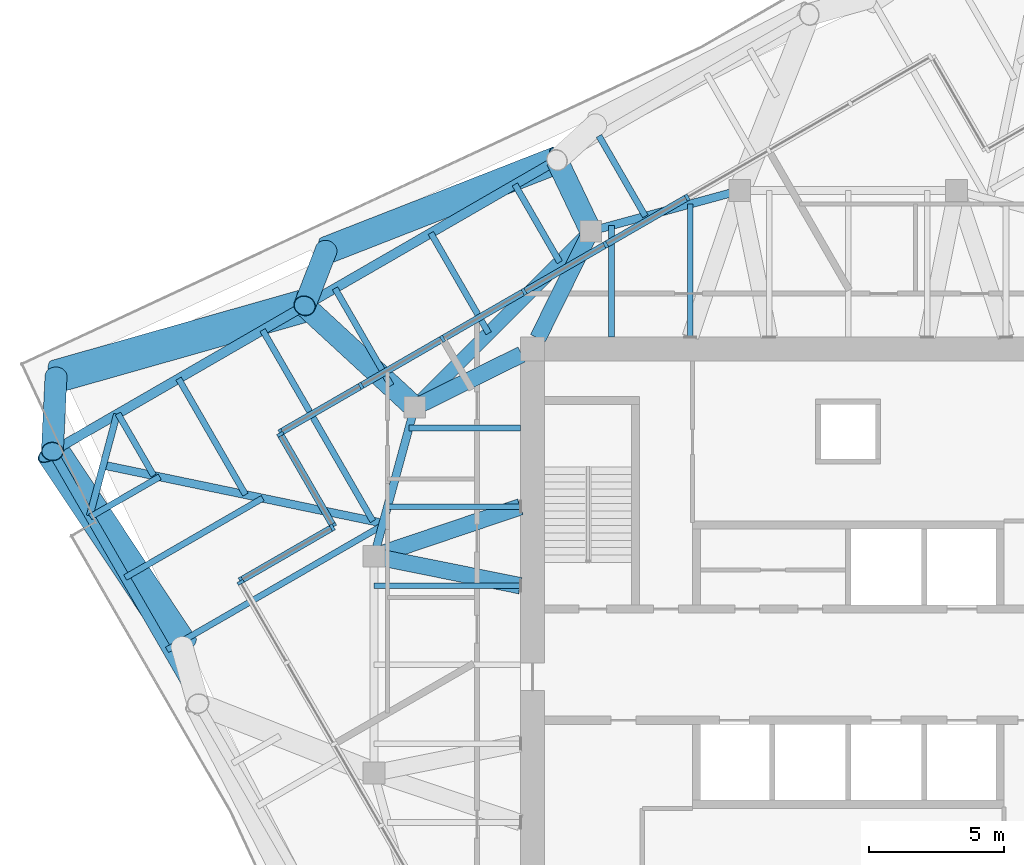
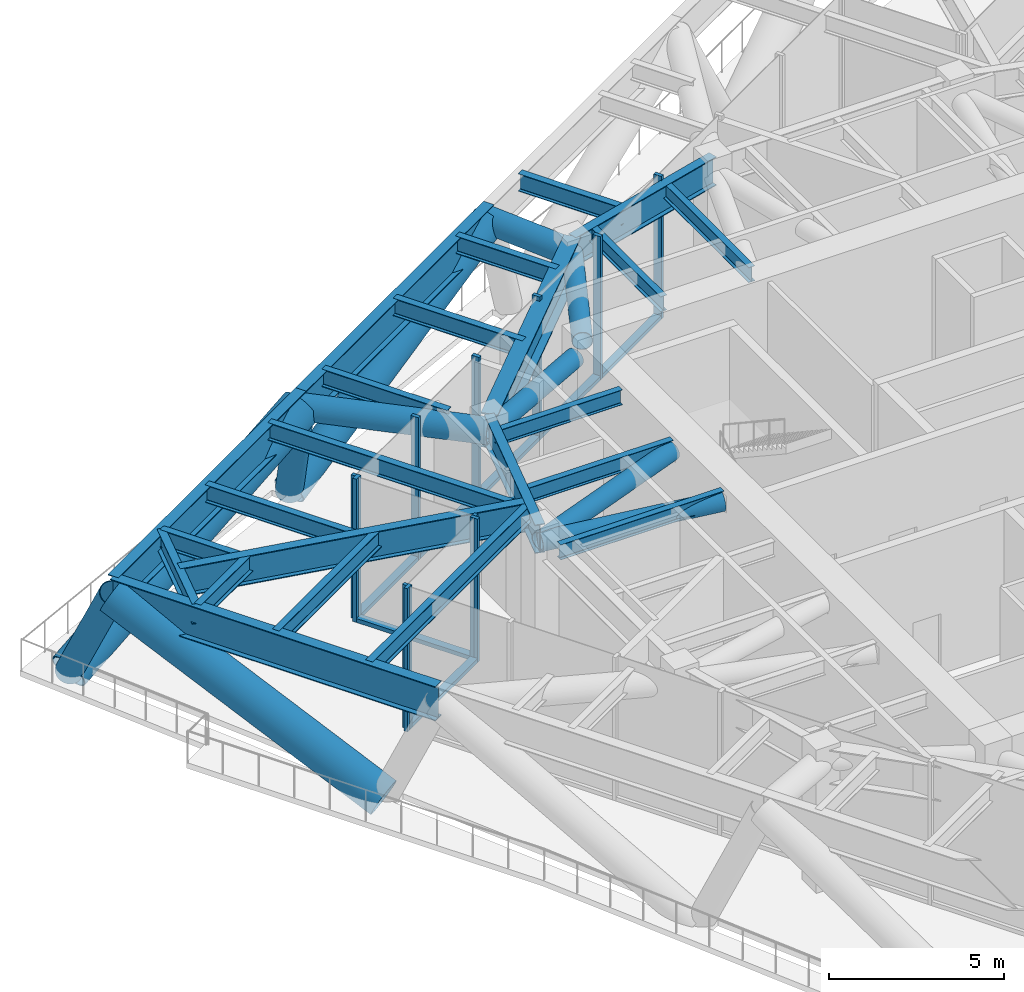
# One storey, part 4 of 12: 29 members, 23 beams, 4 elements without a shape of their own.
"""IFC4 building model written with IfcOpenShell, lengths in metres."""

from ifc_helpers import new_model, si_unit, direction, frame, origin, origin_2d, place, context, subcontext, project, spatial, rectangle, hollow_circle, i_section, extrude, material, material_profile, profile_set, type_object, element, aggregate, save


model = new_model("IFC4")

# Units and contexts
model_context = context("Model", 3, precision=1e-05, world=origin(), true_north=direction((0.0, 1.0)))
body_context = subcontext(model_context, "Body", "Model", "MODEL_VIEW")
ifc_project = project(units=[si_unit("LENGTHUNIT", "METRE"), si_unit("AREAUNIT", "SQUARE_METRE"), si_unit("VOLUMEUNIT", "CUBIC_METRE"), si_unit("PLANEANGLEUNIT", "RADIAN"), si_unit("MASSUNIT", "GRAM", prefix="KILO")], contexts=[model_context])

# Site, building, storey
site_placement = place(None, origin())
site = spatial("IfcSite", under=ifc_project, at=site_placement, CompositionType="ELEMENT")
building_placement = place(site_placement, origin())
building = spatial("IfcBuilding", under=site, at=building_placement, Name="Torsade Residences", CompositionType="ELEMENT")
storey_placement = place(building_placement, frame((0.0, 0.0, 203.199951171875)))
storey = spatial("IfcBuildingStorey", under=building, at=storey_placement, Name="L56", CompositionType="ELEMENT", Elevation=203.199951171875)

# Beams
ifc_material_1 = material(Name="Steel grade 300", Category="steel")
ifc_material_profile_1 = material_profile(ifc_material_1, i_section(OverallWidth=0.300048828125, OverallDepth=1.0, WebThickness=0.01611328125, FlangeThickness=0.028076171875, at=origin_2d()), Name="1000WB215")
ifc_profile_set_1 = profile_set([ifc_material_profile_1], Name="Steel grade 300")
beam_type_1 = type_object("IfcBeamType", Name="CORNER GIRDER 1000WB215", PredefinedType="BEAM", material=ifc_profile_set_1)
beam_1_placement = place(storey_placement, frame((12.5087890625, 37.3662109375, 4.35009765625), z_axis=(0.979086612486, -0.203443862654, 0.0), x_axis=(0.203443862654, 0.979086612486, 0.0)))
element("IfcBeam", 1, at=beam_1_placement, inside=storey, type_object=beam_type_1, Name="Corner girder 13 L57", PredefinedType="BEAM", context=body_context, shape_type="SweptSolid", body=[
    extrude(i_section(OverallWidth=0.300048828125, OverallDepth=1.0, WebThickness=0.01611328125, FlangeThickness=0.028076171875, at=origin_2d()), origin(), (0.0, 0.0, 1.0), 10.544677734375),
])
ifc_material_2 = material(Name="Steel grade 300", Category="steel")
ifc_material_profile_2 = material_profile(ifc_material_2, i_section(OverallWidth=0.25, OverallDepth=0.699951171875, WebThickness=0.010009765625, FlangeThickness=0.02001953125, at=origin_2d()), Name="700WB130")
ifc_profile_set_2 = profile_set([ifc_material_profile_2], Name="Steel grade 300")
beam_type_2 = type_object("IfcBeamType", Name="CORNER TRIMMER 700WB130", PredefinedType="BEAM", material=ifc_profile_set_2)
beam_2_placement = place(storey_placement, frame((12.00537109375, 35.488037109375, 4.5), z_axis=(0.258822897619, 0.965924794002, 0.0), x_axis=(-0.965924794002, 0.258822897619, 0.0)))
element("IfcBeam", 2, at=beam_2_placement, inside=storey, type_object=beam_type_2, Name="Corner trimmer 13 L57", PredefinedType="BEAM", context=body_context, shape_type="SweptSolid", body=[
    extrude(i_section(OverallWidth=0.25, OverallDepth=0.699951171875, WebThickness=0.010009765625, FlangeThickness=0.02001953125, at=origin_2d()), origin(), (0.0, 0.0, 1.0), 3.88916015625),
])

# Curtain wall, members
ifc_material_3 = material(Name="Aluminium and glass", Category="aluminium")
curtain_wall_type = type_object("IfcCurtainWallType", Name="TRANSFER LEVEL CURTAIN WALL HIGH ZONE", PredefinedType="NOTDEFINED", material=ifc_material_3)
curtain_wall_1_placement = place(storey_placement, origin())
curtain_wall_1 = element("IfcCurtainWall", 3, at=curtain_wall_1_placement, inside=storey, type_object=curtain_wall_type, Name="Curtain wall L56 face 7", PredefinedType="NOTDEFINED")
ifc_material_4 = material(Name="Aluminium mullion", Category="aluminium")
ifc_material_profile_3 = material_profile(ifc_material_4, rectangle(XDim=0.25, YDim=0.1201171875, at=origin_2d()), Name="HIGH ZONE TRANSFER CURTAIN WALL MULLION 250x120")
ifc_profile_set_3 = profile_set([ifc_material_profile_3], Name="Aluminium mullion")
member_type_1 = type_object("IfcMemberType", Name="HIGH ZONE TRANSFER CURTAIN WALL MULLION 250x120", PredefinedType="MULLION", material=ifc_profile_set_3)
member_1_placement = place(storey_placement, frame((34.059326171875, 47.2392578125, 0.0), z_axis=(0.0, 0.0, 1.0), x_axis=(0.500000003507, -0.86602540176, 0.0)))
member_1 = element("IfcMember", 4, at=member_1_placement, type_object=member_type_1, Name="Mullion 4", PredefinedType="MULLION", context=body_context, shape_type="SweptSolid", body=[
    extrude(rectangle(XDim=0.25, YDim=0.1201171875, at=origin_2d()), origin(), (0.0, 0.0, 1.0), 5.0),
])
member_2_placement = place(storey_placement, frame((31.050048828125, 45.501953125, 0.0), z_axis=(0.0, 0.0, 1.0), x_axis=(0.500000003507, -0.86602540176, 0.0)))
member_2 = element("IfcMember", 5, at=member_2_placement, type_object=member_type_1, Name="Mullion 5", PredefinedType="MULLION", context=body_context, shape_type="SweptSolid", body=[
    extrude(rectangle(XDim=0.25, YDim=0.1201171875, at=origin_2d()), origin(), (0.0, 0.0, 1.0), 5.0),
])
member_3_placement = place(storey_placement, frame((28.04052734375, 43.764404296875, 0.0), z_axis=(0.0, 0.0, 1.0), x_axis=(0.500000003507, -0.86602540176, 0.0)))
member_3 = element("IfcMember", 6, at=member_3_placement, type_object=member_type_1, Name="Mullion 6", PredefinedType="MULLION", context=body_context, shape_type="SweptSolid", body=[
    extrude(rectangle(XDim=0.25, YDim=0.1201171875, at=origin_2d()), origin(), (0.0, 0.0, 1.0), 5.0),
])
member_4_placement = place(storey_placement, frame((25.031005859375, 42.02685546875, 0.0), z_axis=(0.0, 0.0, 1.0), x_axis=(0.500000003507, -0.86602540176, 0.0)))
member_4 = element("IfcMember", 7, at=member_4_placement, type_object=member_type_1, Name="Mullion 7", PredefinedType="MULLION", context=body_context, shape_type="SweptSolid", body=[
    extrude(rectangle(XDim=0.25, YDim=0.1201171875, at=origin_2d()), origin(), (0.0, 0.0, 1.0), 5.0),
])
member_5_placement = place(storey_placement, frame((22.021728515625, 40.289306640625, 0.0), z_axis=(0.0, 0.0, 1.0), x_axis=(0.500000003507, -0.86602540176, 0.0)))
member_5 = element("IfcMember", 8, at=member_5_placement, type_object=member_type_1, Name="Mullion 8", PredefinedType="MULLION", context=body_context, shape_type="SweptSolid", body=[
    extrude(rectangle(XDim=0.25, YDim=0.1201171875, at=origin_2d()), origin(), (0.0, 0.0, 1.0), 5.0),
])
member_6_placement = place(storey_placement, frame((19.064208984375, 38.581787109375, 0.0), z_axis=(0.0, 0.0, 1.0), x_axis=(0.500000003507, -0.86602540176, 0.0)))
member_6 = element("IfcMember", 9, at=member_6_placement, type_object=member_type_1, Name="Mullion 9", PredefinedType="MULLION", context=body_context, shape_type="SweptSolid", body=[
    extrude(rectangle(XDim=0.25, YDim=0.1201171875, at=origin_2d()), origin(), (0.0, 0.0, 1.0), 5.0),
])

curtain_wall_2_placement = place(storey_placement, origin())
curtain_wall_2 = element("IfcCurtainWall", 10, at=curtain_wall_2_placement, inside=storey, type_object=curtain_wall_type, Name="Curtain wall L56 face 8", PredefinedType="NOTDEFINED")
member_7_placement = place(storey_placement, frame((19.042236328125, 38.5, 0.0), z_axis=(0.0, 0.0, 1.0), x_axis=(0.866025427835, 0.499999958343, 0.0)))
member_7 = element("IfcMember", 11, at=member_7_placement, type_object=member_type_1, Name="Mullion 1", PredefinedType="MULLION", context=body_context, shape_type="SweptSolid", body=[
    extrude(rectangle(XDim=0.25, YDim=0.1201171875, at=origin_2d()), origin(), (0.0, 0.0, 1.0), 5.0),
])
member_8_placement = place(storey_placement, frame((20.982177734375, 35.1396484375, 0.0), z_axis=(0.0, 0.0, 1.0), x_axis=(0.866025427835, 0.499999958343, 0.0)))
member_8 = element("IfcMember", 12, at=member_8_placement, type_object=member_type_1, Name="Mullion 2", PredefinedType="MULLION", context=body_context, shape_type="SweptSolid", body=[
    extrude(rectangle(XDim=0.25, YDim=0.1201171875, at=origin_2d()), origin(), (0.0, 0.0, 1.0), 5.0),
])

curtain_wall_3_placement = place(storey_placement, origin())
curtain_wall_3 = element("IfcCurtainWall", 13, at=curtain_wall_3_placement, inside=storey, type_object=curtain_wall_type, Name="Curtain wall L56 face 9", PredefinedType="NOTDEFINED")
member_9_placement = place(storey_placement, frame((20.960205078125, 35.057861328125, 0.0), z_axis=(0.0, 0.0, 1.0), x_axis=(0.499999958343, -0.866025427835, 0.0)))
member_9 = element("IfcMember", 14, at=member_9_placement, type_object=member_type_1, Name="Mullion 1", PredefinedType="MULLION", context=body_context, shape_type="SweptSolid", body=[
    extrude(rectangle(XDim=0.25, YDim=0.1201171875, at=origin_2d()), origin(), (0.0, 0.0, 1.0), 5.0),
])
member_10_placement = place(storey_placement, frame((17.60009765625, 33.11767578125, 0.0), z_axis=(0.0, 0.0, 1.0), x_axis=(0.499999958343, -0.866025427835, 0.0)))
member_10 = element("IfcMember", 15, at=member_10_placement, type_object=member_type_1, Name="Mullion 2", PredefinedType="MULLION", context=body_context, shape_type="SweptSolid", body=[
    extrude(rectangle(XDim=0.25, YDim=0.1201171875, at=origin_2d()), origin(), (0.0, 0.0, 1.0), 5.0),
])

# Curtain wall, member
curtain_wall_4_placement = place(storey_placement, origin())
curtain_wall_4 = element("IfcCurtainWall", 16, at=curtain_wall_4_placement, inside=storey, type_object=curtain_wall_type, Name="Curtain wall L56 face 10", PredefinedType="NOTDEFINED")
member_11_placement = place(storey_placement, frame((17.578125, 33.035888671875, 0.0), z_axis=(0.0, 0.0, 1.0), x_axis=(0.86602540176, 0.500000003507, 0.0)))
member_11 = element("IfcMember", 17, at=member_11_placement, type_object=member_type_1, Name="Mullion 1", PredefinedType="MULLION", context=body_context, shape_type="SweptSolid", body=[
    extrude(rectangle(XDim=0.25, YDim=0.1201171875, at=origin_2d()), origin(), (0.0, 0.0, 1.0), 5.0),
])
aggregate(curtain_wall_4, [member_11])

# Member
ifc_material_5 = material(Name="Aluminium transom", Category="aluminium")
ifc_material_profile_4 = material_profile(ifc_material_5, rectangle(XDim=0.25, YDim=0.139892578125, at=origin_2d()), Name="HIGH ZONE TRANSFER CURTAIN WALL TRANSOM 250x140")
ifc_profile_set_4 = profile_set([ifc_material_profile_4], Name="Aluminium transom")
member_type_2 = type_object("IfcMemberType", Name="HIGH ZONE TRANSFER CURTAIN WALL TRANSOM 250x140", PredefinedType="USERDEFINED", material=ifc_profile_set_4)
member_12_placement = place(storey_placement, frame((34.007568359375, 47.20947265625, 0.070068359375), z_axis=(-0.865995328698, -0.50005208796, 0.0), x_axis=(0.50005208796, -0.865995328698, 0.0)))
member_12 = element("IfcMember", 18, at=member_12_placement, type_object=member_type_2, Name="Transom 4.1", ObjectType="TRANSOM", PredefinedType="USERDEFINED", context=body_context, shape_type="SweptSolid", body=[
    extrude(rectangle(XDim=0.25, YDim=0.139892578125, at=origin_2d()), origin(), (0.0, 0.0, 1.0), 3.355224609375),
])

member_13_placement = place(storey_placement, frame((30.998046875, 45.471923828125, 0.070068359375), z_axis=(-0.866026839176, -0.499997513821, 0.0), x_axis=(0.499997513821, -0.866026839176, 0.0)))
member_13 = element("IfcMember", 19, at=member_13_placement, type_object=member_type_2, Name="Transom 5.1", ObjectType="TRANSOM", PredefinedType="USERDEFINED", context=body_context, shape_type="SweptSolid", body=[
    extrude(rectangle(XDim=0.25, YDim=0.139892578125, at=origin_2d()), origin(), (0.0, 0.0, 1.0), 3.35498046875),
])

member_14_placement = place(storey_placement, frame((27.988525390625, 43.734375, 0.070068359375), z_axis=(-0.866026839176, -0.499997513821, 0.0), x_axis=(0.499997513821, -0.866026839176, 0.0)))
member_14 = element("IfcMember", 20, at=member_14_placement, type_object=member_type_2, Name="Transom 6.1", ObjectType="TRANSOM", PredefinedType="USERDEFINED", context=body_context, shape_type="SweptSolid", body=[
    extrude(rectangle(XDim=0.25, YDim=0.139892578125, at=origin_2d()), origin(), (0.0, 0.0, 1.0), 3.35498046875),
])

member_15_placement = place(storey_placement, frame((24.979248046875, 41.996826171875, 0.070068359375), z_axis=(-0.866026839176, -0.499997513821, 0.0), x_axis=(0.499997513821, -0.866026839176, 0.0)))
member_15 = element("IfcMember", 21, at=member_15_placement, type_object=member_type_2, Name="Transom 7.1", ObjectType="TRANSOM", PredefinedType="USERDEFINED", context=body_context, shape_type="SweptSolid", body=[
    extrude(rectangle(XDim=0.25, YDim=0.139892578125, at=origin_2d()), origin(), (0.0, 0.0, 1.0), 3.35498046875),
])

member_16_placement = place(storey_placement, frame((21.9697265625, 40.25927734375, 0.070068359375), z_axis=(-0.866027647951, -0.499996112969, 0.0), x_axis=(0.499996112969, -0.866027647951, 0.0)))
member_16 = element("IfcMember", 22, at=member_16_placement, type_object=member_type_2, Name="Transom 8.1", ObjectType="TRANSOM", PredefinedType="USERDEFINED", context=body_context, shape_type="SweptSolid", body=[
    extrude(rectangle(XDim=0.25, YDim=0.139892578125, at=origin_2d()), origin(), (0.0, 0.0, 1.0), 3.294921875),
])

aggregate(curtain_wall_1, [member_1, member_2, member_3, member_4, member_5, member_6, member_12, member_13, member_14, member_15, member_16])

member_17_placement = place(storey_placement, frame((19.072265625, 38.447998046875, 0.070068359375), z_axis=(0.499966013754, -0.866045024864, 0.0), x_axis=(0.866045024864, 0.499966013754, 0.0)))
member_17 = element("IfcMember", 23, at=member_17_placement, type_object=member_type_2, Name="Transom 1.1", ObjectType="TRANSOM", PredefinedType="USERDEFINED", context=body_context, shape_type="SweptSolid", body=[
    extrude(rectangle(XDim=0.25, YDim=0.139892578125, at=origin_2d()), origin(), (0.0, 0.0, 1.0), 3.760009765625),
])

aggregate(curtain_wall_2, [member_7, member_8, member_17])

member_18_placement = place(storey_placement, frame((20.908203125, 35.02783203125, 0.070068359375), z_axis=(-0.866000675424, -0.50004282833, 0.0), x_axis=(0.50004282833, -0.866000675424, 0.0)))
member_18 = element("IfcMember", 24, at=member_18_placement, type_object=member_type_2, Name="Transom 1.1", ObjectType="TRANSOM", PredefinedType="USERDEFINED", context=body_context, shape_type="SweptSolid", body=[
    extrude(rectangle(XDim=0.25, YDim=0.139892578125, at=origin_2d()), origin(), (0.0, 0.0, 1.0), 3.760009765625),
])

aggregate(curtain_wall_3, [member_9, member_10, member_18])

# Beams
ifc_material_6 = material(Name="Steel grade 300", Category="steel")
ifc_material_profile_5 = material_profile(ifc_material_6, i_section(OverallWidth=0.208984375, OverallDepth=0.528076171875, WebThickness=0.009521484375, FlangeThickness=0.01318359375, FilletRadius=0.013916015625, at=origin_2d()), Name="530UB82.0")
ifc_profile_set_5 = profile_set([ifc_material_profile_5], Name="Steel grade 300")
beam_type_3 = type_object("IfcBeamType", Name="INNER FLOOR BEAM 530UB82.0", PredefinedType="JOIST", material=ifc_profile_set_5)
beam_3_placement = place(storey_placement, frame((31.262451171875, 42.10009765625, 4.5859375), z_axis=(0.0, 1.0, 0.0), x_axis=(-1.0, 0.0, 0.0)))
element("IfcBeam", 25, at=beam_3_placement, inside=storey, type_object=beam_type_3, Name="Inner floor beam IN01 L57", PredefinedType="JOIST", context=body_context, shape_type="SweptSolid", body=[
    extrude(i_section(OverallWidth=0.208984375, OverallDepth=0.528076171875, WebThickness=0.009521484375, FlangeThickness=0.01318359375, FilletRadius=0.013916015625, at=origin_2d()), origin(), (0.0, 0.0, 1.0), 4.10791015625),
])
beam_4_placement = place(storey_placement, frame((34.175048828125, 42.10009765625, 4.5859375), z_axis=(0.0, 1.0, 0.0), x_axis=(-1.0, 0.0, 0.0)))
element("IfcBeam", 26, at=beam_4_placement, inside=storey, type_object=beam_type_3, Name="Inner floor beam IN02 L57", PredefinedType="JOIST", context=body_context, shape_type="SweptSolid", body=[
    extrude(i_section(OverallWidth=0.208984375, OverallDepth=0.528076171875, WebThickness=0.009521484375, FlangeThickness=0.01318359375, FilletRadius=0.013916015625, at=origin_2d()), origin(), (0.0, 0.0, 1.0), 4.902099609375),
])
beam_5_placement = place(storey_placement, frame((27.89990234375, 38.737548828125, 4.5859375), z_axis=(-1.0, 0.0, 0.0), x_axis=(0.0, -1.0, 0.0)))
element("IfcBeam", 27, at=beam_5_placement, inside=storey, type_object=beam_type_3, Name="Inner floor beam IW01 L57", PredefinedType="JOIST", context=body_context, shape_type="SweptSolid", body=[
    extrude(i_section(OverallWidth=0.208984375, OverallDepth=0.528076171875, WebThickness=0.009521484375, FlangeThickness=0.01318359375, FilletRadius=0.013916015625, at=origin_2d()), origin(), (0.0, 0.0, 1.0), 4.10791015625),
])
beam_6_placement = place(storey_placement, frame((27.89990234375, 35.824951171875, 4.5859375), z_axis=(-1.0, 0.0, 0.0), x_axis=(0.0, -1.0, 0.0)))
element("IfcBeam", 28, at=beam_6_placement, inside=storey, type_object=beam_type_3, Name="Inner floor beam IW02 L57", PredefinedType="JOIST", context=body_context, shape_type="SweptSolid", body=[
    extrude(i_section(OverallWidth=0.208984375, OverallDepth=0.528076171875, WebThickness=0.009521484375, FlangeThickness=0.01318359375, FilletRadius=0.013916015625, at=origin_2d()), origin(), (0.0, 0.0, 1.0), 4.902099609375),
])
beam_7_placement = place(storey_placement, frame((27.89990234375, 32.91259765625, 4.5859375), z_axis=(-1.0, 0.0, 0.0), x_axis=(0.0, -1.0, 0.0)))
element("IfcBeam", 29, at=beam_7_placement, inside=storey, type_object=beam_type_3, Name="Inner floor beam IW03 L57", PredefinedType="JOIST", context=body_context, shape_type="SweptSolid", body=[
    extrude(i_section(OverallWidth=0.208984375, OverallDepth=0.528076171875, WebThickness=0.009521484375, FlangeThickness=0.01318359375, FilletRadius=0.013916015625, at=origin_2d()), origin(), (0.0, 0.0, 1.0), 5.39990234375),
])
ifc_material_7 = material(Name="Steel grade 300", Category="steel")
ifc_material_profile_6 = material_profile(ifc_material_7, i_section(OverallWidth=0.5, OverallDepth=1.199951171875, WebThickness=0.01611328125, FlangeThickness=0.0400390625, at=origin_2d()), Name="1200WB455")
ifc_profile_set_6 = profile_set([ifc_material_profile_6], Name="Steel grade 300")
beam_type_4 = type_object("IfcBeamType", Name="RING CORNER GIRDER 1200WB455", PredefinedType="BEAM", material=ifc_profile_set_6)
beam_8_placement = place(storey_placement, frame((30.5, 46.0, 4.25), z_axis=(-0.707106781187, -0.707106781187, 0.0), x_axis=(0.707106781187, -0.707106781187, 0.0)))
element("IfcBeam", 30, at=beam_8_placement, inside=storey, type_object=beam_type_4, Name="Ring girder IR07 L57", PredefinedType="BEAM", context=body_context, shape_type="SweptSolid", body=[
    extrude(i_section(OverallWidth=0.5, OverallDepth=1.199951171875, WebThickness=0.01611328125, FlangeThickness=0.0400390625, at=origin_2d()), origin(), (0.0, 0.0, 1.0), 9.1923828125),
])
ifc_material_8 = material(Name="Steel grade 300", Category="steel")
ifc_material_profile_7 = material_profile(ifc_material_8, i_section(OverallWidth=0.300048828125, OverallDepth=1.0, WebThickness=0.01611328125, FlangeThickness=0.028076171875, at=origin_2d()), Name="1000WB215")
ifc_profile_set_7 = profile_set([ifc_material_profile_7], Name="Steel grade 300")
beam_type_5 = type_object("IfcBeamType", Name="RING GIRDER 1000WB215", PredefinedType="BEAM", material=ifc_profile_set_7)
for number, where, z_axis, x_axis, name in (
    (31, (36.0, 47.5, 4.35009765625), (-0.964763821238, -0.263117405792, 0.0), (0.263117405792, -0.964763821238, 0.0), "Ring girder IR06 L57"),
    (32, (24.0, 39.5, 4.35009765625), (-0.263117405792, -0.964763821238, 0.0), (0.964763821238, -0.263117405792, 0.0), "Ring girder IR08 L57"),
):
    element("IfcBeam", number, at=place(storey_placement, frame(where, z_axis=z_axis, x_axis=x_axis)), inside=storey, type_object=beam_type_5, Name=name, PredefinedType="BEAM", context=body_context, shape_type="SweptSolid", body=[
        extrude(i_section(OverallWidth=0.300048828125, OverallDepth=1.0, WebThickness=0.01611328125, FlangeThickness=0.028076171875, at=origin_2d()), origin(), (0.0, 0.0, 1.0), 5.700927734375),
    ])
ifc_material_9 = material(Name="Steel grade 300", Category="steel")
ifc_material_profile_8 = material_profile(ifc_material_9, i_section(OverallWidth=0.22900390625, OverallDepth=0.612060546875, WebThickness=0.011962890625, FlangeThickness=0.01953125, FilletRadius=0.013916015625, at=origin_2d()), Name="610UB125")
ifc_profile_set_8 = profile_set([ifc_material_profile_8], Name="Steel grade 300")
beam_type_6 = type_object("IfcBeamType", Name="SECONDARY BEAM 610UB125", PredefinedType="JOIST", material=ifc_profile_set_8)
beam_9_placement = place(storey_placement, frame((30.801513671875, 49.515380859375, 4.5439453125), z_axis=(0.500041249073, -0.866001587311, 0.0), x_axis=(0.866001587311, 0.500041249073, 0.0)))
element("IfcBeam", 33, at=beam_9_placement, inside=storey, type_object=beam_type_6, Name="Floor beam FN06 L57", PredefinedType="JOIST", context=body_context, shape_type="SweptSolid", body=[
    extrude(i_section(OverallWidth=0.22900390625, OverallDepth=0.612060546875, WebThickness=0.011962890625, FlangeThickness=0.01953125, FilletRadius=0.013916015625, at=origin_2d()), origin(), (0.0, 0.0, 1.0), 3.425048828125),
])
beam_10_placement = place(storey_placement, frame((27.698486328125, 47.7236328125, 4.5439453125), z_axis=(0.499975512502, -0.866039541186, 0.0), x_axis=(0.866039541186, 0.499975512502, 0.0)))
element("IfcBeam", 34, at=beam_10_placement, inside=storey, type_object=beam_type_6, Name="Floor beam FN07 L57", PredefinedType="JOIST", context=body_context, shape_type="SweptSolid", body=[
    extrude(i_section(OverallWidth=0.22900390625, OverallDepth=0.612060546875, WebThickness=0.011962890625, FlangeThickness=0.01953125, FilletRadius=0.013916015625, at=origin_2d()), origin(), (0.0, 0.0, 1.0), 3.312744140625),
])
beam_11_placement = place(storey_placement, frame((24.59521484375, 45.93212890625, 4.5439453125), z_axis=(0.500004369671, -0.866022880939, 0.0), x_axis=(0.866022880939, 0.500004369671, 0.0)))
element("IfcBeam", 35, at=beam_11_placement, inside=storey, type_object=beam_type_6, Name="Floor beam FN08 L57", PredefinedType="JOIST", context=body_context, shape_type="SweptSolid", body=[
    extrude(i_section(OverallWidth=0.22900390625, OverallDepth=0.612060546875, WebThickness=0.011962890625, FlangeThickness=0.01953125, FilletRadius=0.013916015625, at=origin_2d()), origin(), (0.0, 0.0, 1.0), 4.27294921875),
])
beam_12_placement = place(storey_placement, frame((21.058837890625, 43.890380859375, 4.5439453125), z_axis=(0.499979160215, -0.866037435306, 0.0), x_axis=(0.866037435306, 0.499979160215, 0.0)))
element("IfcBeam", 36, at=beam_12_placement, inside=storey, type_object=beam_type_6, Name="Floor beam FN09 L57", PredefinedType="JOIST", context=body_context, shape_type="SweptSolid", body=[
    extrude(i_section(OverallWidth=0.22900390625, OverallDepth=0.612060546875, WebThickness=0.011962890625, FlangeThickness=0.01953125, FilletRadius=0.013916015625, at=origin_2d()), origin(), (0.0, 0.0, 1.0), 4.143798828125),
])
beam_13_placement = place(storey_placement, frame((18.388671875, 42.3486328125, 4.5439453125), z_axis=(0.500009753642, -0.866019772443, 0.0), x_axis=(0.866019772443, 0.500009753642, 0.0)))
element("IfcBeam", 37, at=beam_13_placement, inside=storey, type_object=beam_type_6, Name="Floor beam FN10 L57", PredefinedType="JOIST", context=body_context, shape_type="SweptSolid", body=[
    extrude(i_section(OverallWidth=0.22900390625, OverallDepth=0.612060546875, WebThickness=0.011962890625, FlangeThickness=0.01953125, FilletRadius=0.013916015625, at=origin_2d()), origin(), (0.0, 0.0, 1.0), 8.140380859375),
])
beam_14_placement = place(storey_placement, frame((15.285400390625, 40.55712890625, 4.5439453125), z_axis=(0.499963270073, -0.866046608779, 0.0), x_axis=(0.866046608779, 0.499963270073, 0.0)))
element("IfcBeam", 38, at=beam_14_placement, inside=storey, type_object=beam_type_6, Name="Floor beam FN11 L57", PredefinedType="JOIST", context=body_context, shape_type="SweptSolid", body=[
    extrude(i_section(OverallWidth=0.22900390625, OverallDepth=0.612060546875, WebThickness=0.011962890625, FlangeThickness=0.01953125, FilletRadius=0.013916015625, at=origin_2d()), origin(), (0.0, 0.0, 1.0), 4.943603515625),
])
beam_15_placement = place(storey_placement, frame((13.048095703125, 39.265380859375, 4.5439453125), z_axis=(0.500029427677, -0.866008413041, 0.0), x_axis=(0.866008413041, 0.500029427677, 0.0)))
element("IfcBeam", 39, at=beam_15_placement, inside=storey, type_object=beam_type_6, Name="Floor beam FN12 L57", PredefinedType="JOIST", context=body_context, shape_type="SweptSolid", body=[
    extrude(i_section(OverallWidth=0.22900390625, OverallDepth=0.612060546875, WebThickness=0.011962890625, FlangeThickness=0.01953125, FilletRadius=0.013916015625, at=origin_2d()), origin(), (0.0, 0.0, 1.0), 2.638916015625),
])
beam_16_placement = place(storey_placement, frame((12.0263671875, 35.451904296875, 4.5439453125), z_axis=(0.866023667193, 0.500003007852, 0.0), x_axis=(-0.500003007852, 0.866023667193, 0.0)))
element("IfcBeam", 40, at=beam_16_placement, inside=storey, type_object=beam_type_6, Name="Floor beam FW01 L57", PredefinedType="JOIST", context=body_context, shape_type="SweptSolid", body=[
    extrude(i_section(OverallWidth=0.22900390625, OverallDepth=0.612060546875, WebThickness=0.011962890625, FlangeThickness=0.01953125, FilletRadius=0.013916015625, at=origin_2d()), origin(), (0.0, 0.0, 1.0), 2.962890625),
])
beam_17_placement = place(storey_placement, frame((13.31787109375, 33.214599609375, 4.5439453125), z_axis=(0.866034304969, 0.49998458238, 0.0), x_axis=(-0.49998458238, 0.866034304969, 0.0)))
element("IfcBeam", 41, at=beam_17_placement, inside=storey, type_object=beam_type_6, Name="Floor beam FW02 L57", PredefinedType="JOIST", context=body_context, shape_type="SweptSolid", body=[
    extrude(i_section(OverallWidth=0.22900390625, OverallDepth=0.612060546875, WebThickness=0.011962890625, FlangeThickness=0.01953125, FilletRadius=0.013916015625, at=origin_2d()), origin(), (0.0, 0.0, 1.0), 5.858642578125),
])
beam_18_placement = place(storey_placement, frame((14.859619140625, 30.54443359375, 4.5439453125), z_axis=(0.866021712342, 0.500006393711, 0.0), x_axis=(-0.500006393711, 0.866021712342, 0.0)))
element("IfcBeam", 42, at=beam_18_placement, inside=storey, type_object=beam_type_6, Name="Floor beam FW03 L57", PredefinedType="JOIST", context=body_context, shape_type="SweptSolid", body=[
    extrude(i_section(OverallWidth=0.22900390625, OverallDepth=0.612060546875, WebThickness=0.011962890625, FlangeThickness=0.01953125, FilletRadius=0.013916015625, at=origin_2d()), origin(), (0.0, 0.0, 1.0), 9.1796875),
])

# Members
ifc_material_10 = material(Name="Steel grade 450", Category="steel")
ifc_material_profile_9 = material_profile(ifc_material_10, hollow_circle(Radius=0.304931640625, WallThickness=0.01611328125, at=origin_2d()), Name="610.0x16.0CHS")
ifc_profile_set_9 = profile_set([ifc_material_profile_9], Name="Steel grade 450")
member_type_3 = type_object("IfcMemberType", Name="TRANSFER FLOOR BRACE 610.0x16.0CHS", PredefinedType="BRACE", material=ifc_profile_set_9)
for number, where, z_axis, x_axis, name in (
    (43, (30.5, 46.0, 4.25), (-0.443105036702, -0.896469701914, 0.0), (0.896469701914, -0.443105036702, 0.0), "Transfer floor brace TT6 top IR07C"),
    (44, (24.0, 39.5, 4.25), (0.896469701914, 0.443105036702, 0.0), (-0.443105036702, 0.896469701914, 0.0), "Transfer floor brace TT6 top IR08C"),
):
    element("IfcMember", number, at=place(storey_placement, frame(where, z_axis=z_axis, x_axis=x_axis)), inside=storey, type_object=member_type_3, Name=name, PredefinedType="BRACE", context=body_context, shape_type="SweptSolid", body=[
        extrude(hollow_circle(Radius=0.304931640625, WallThickness=0.01611328125, at=origin_2d()), origin(), (0.0, 0.0, 1.0), 4.40234375),
    ])
member_19_placement = place(storey_placement, frame((22.5, 34.0, 4.25), z_axis=(0.97976207845, -0.197299045909, 0.03375434957), x_axis=(0.197411538983, 0.980320704809, 0.0)))
element("IfcMember", 45, at=member_19_placement, inside=storey, type_object=member_type_3, Name="Transfer floor brace TT6 top IR09IW03", PredefinedType="BRACE", context=body_context, shape_type="SweptSolid", body=[
    extrude(hollow_circle(Radius=0.304931640625, WallThickness=0.01611328125, at=origin_2d()), origin(), (0.0, 0.0, 1.0), 5.511474609375),
])
member_20_placement = place(storey_placement, frame((22.5, 34.0, 4.25), z_axis=(0.946855969774, 0.319999474368, 0.032620682203), x_axis=(-0.320169867513, 0.947360151124, 0.0)))
element("IfcMember", 46, at=member_20_placement, inside=storey, type_object=member_type_3, Name="Transfer floor brace TT6 top IR09IW02", PredefinedType="BRACE", context=body_context, shape_type="SweptSolid", body=[
    extrude(hollow_circle(Radius=0.304931640625, WallThickness=0.01611328125, at=origin_2d()), origin(), (0.0, 0.0, 1.0), 5.702880859375),
])
ifc_material_11 = material(Name="Steel grade 450", Category="steel")
ifc_material_profile_10 = material_profile(ifc_material_11, hollow_circle(Radius=0.406494140625, WallThickness=0.02490234375, at=origin_2d()), Name="813.0x25.0CHS")
ifc_profile_set_10 = profile_set([ifc_material_profile_10], Name="Steel grade 450")
member_type_4 = type_object("IfcMemberType", Name="TRANSFER FLOOR STRUT 813.0x25.0CHS", PredefinedType="STRUT", material=ifc_profile_set_10)
member_21_placement = place(storey_placement, frame((29.25, 48.61962890625, 4.25), z_axis=(0.430651736204, -0.902518189348, 0.0), x_axis=(0.902518189348, 0.430651736204, 0.0)))
element("IfcMember", 47, at=member_21_placement, inside=storey, type_object=member_type_4, Name="Transfer floor strut TT6 top 11IR07", PredefinedType="STRUT", context=body_context, shape_type="SweptSolid", body=[
    extrude(hollow_circle(Radius=0.406494140625, WallThickness=0.02490234375, at=origin_2d()), origin(), (0.0, 0.0, 1.0), 2.902587890625),
])
member_22_placement = place(storey_placement, frame((19.940185546875, 43.24462890625, 4.25), z_axis=(0.735064376029, -0.67799731791, 0.0), x_axis=(0.67799731791, 0.735064376029, 0.0)))
element("IfcMember", 48, at=member_22_placement, inside=storey, type_object=member_type_4, Name="Transfer floor strut TT6 top 12IR08", PredefinedType="STRUT", context=body_context, shape_type="SweptSolid", body=[
    extrude(hollow_circle(Radius=0.406494140625, WallThickness=0.02490234375, at=origin_2d()), origin(), (0.0, 0.0, 1.0), 5.523193359375),
])

# Beams
ifc_material_12 = material(Name="Steel grade 350", Category="steel")
ifc_material_profile_11 = material_profile(ifc_material_12, i_section(OverallWidth=0.35009765625, OverallDepth=1.199951171875, WebThickness=0.01611328125, FlangeThickness=0.028076171875, at=origin_2d()), Name="1200WB278")
ifc_profile_set_11 = profile_set([ifc_material_profile_11], Name="Steel grade 350")
beam_type_7 = type_object("IfcBeamType", Name="TRANSFER TRUSS CHORD 1200WB278", PredefinedType="USERDEFINED", material=ifc_profile_set_11)
for number, where, z_axis, x_axis, name in (
    (49, (29.25, 48.61962890625, 4.25), (-0.866026365697, -0.499998333915, 0.0), (0.499998333915, -0.866026365697, 0.0), "Transfer truss TT6 top chord 11"),
    (50, (19.940185546875, 43.24462890625, 4.25), (-0.866026365697, -0.499998333915, 0.0), (0.499998333915, -0.866026365697, 0.0), "Transfer truss TT6 top chord 12"),
    (51, (10.63037109375, 37.86962890625, 4.25), (0.499998333915, -0.866026365697, 0.0), (0.866026365697, 0.499998333915, 0.0), "Transfer truss TT6 top chord 13"),
):
    element("IfcBeam", number, at=place(storey_placement, frame(where, z_axis=z_axis, x_axis=x_axis)), inside=storey, type_object=beam_type_7, Name=name, ObjectType="TRANSFER TRUSS CHORD", PredefinedType="USERDEFINED", context=body_context, shape_type="SweptSolid", body=[
        extrude(i_section(OverallWidth=0.35009765625, OverallDepth=1.199951171875, WebThickness=0.01611328125, FlangeThickness=0.028076171875, at=origin_2d()), origin(), (0.0, 0.0, 1.0), 10.75),
    ])

# Members
ifc_material_13 = material(Name="Steel grade 450", Category="steel")
ifc_material_profile_12 = material_profile(ifc_material_13, hollow_circle(Radius=0.508056640625, WallThickness=0.031982421875, at=origin_2d()), Name="1016.0x32.0CHS")
ifc_profile_set_12 = profile_set([ifc_material_profile_12], Name="Steel grade 450")
member_type_5 = type_object("IfcMemberType", Name="TRANSFER TRUSS DIAGONAL 1016.0x32.0CHS", PredefinedType="BRACE", material=ifc_profile_set_12)
member_23_placement = place(storey_placement, frame((20.73291015625, 45.2900390625, -0.199951171875), z_axis=(0.837471340129, 0.327393055572, 0.43755632966), x_axis=(-0.364097343928, 0.931360898978, 0.0)))
element("IfcMember", 52, at=member_23_placement, inside=storey, type_object=member_type_5, Name="Transfer truss TT6 diagonal 11", PredefinedType="BRACE", context=body_context, shape_type="SweptSolid", body=[
    extrude(hollow_circle(Radius=0.508056640625, WallThickness=0.031982421875, at=origin_2d()), origin(), (0.0, 0.0, 1.0), 10.169921875),
])
ifc_material_14 = material(Name="Steel grade 450", Category="steel")
ifc_material_profile_13 = material_profile(ifc_material_14, hollow_circle(Radius=0.609619140625, WallThickness=0.031982421875, at=origin_2d()), Name="1219.0x32.0CHS")
ifc_profile_set_13 = profile_set([ifc_material_profile_13], Name="Steel grade 450")
member_type_6 = type_object("IfcMemberType", Name="TRANSFER TRUSS DIAGONAL 1219.0x32.0CHS", PredefinedType="BRACE", material=ifc_profile_set_13)
member_24_placement = place(storey_placement, frame((10.763671875, 40.64111328125, -0.199951171875), z_axis=(0.871826088855, 0.247350238422, 0.422773142884), x_axis=(-0.272942546546, 0.962030335429, 0.0)))
element("IfcMember", 53, at=member_24_placement, inside=storey, type_object=member_type_6, Name="Transfer truss TT6 diagonal 12", PredefinedType="BRACE", context=body_context, shape_type="SweptSolid", body=[
    extrude(hollow_circle(Radius=0.609619140625, WallThickness=0.031982421875, at=origin_2d()), origin(), (0.0, 0.0, 1.0), 10.525634765625),
])
member_25_placement = place(storey_placement, frame((15.412353515625, 30.671875, -0.199951171875), z_axis=(-0.491976930224, 0.740514823958, 0.457817098442), x_axis=(-0.832931579885, -0.553375987219, 0.0)))
element("IfcMember", 54, at=member_25_placement, inside=storey, type_object=member_type_6, Name="Transfer truss TT6 diagonal 13", PredefinedType="BRACE", context=body_context, shape_type="SweptSolid", body=[
    extrude(hollow_circle(Radius=0.609619140625, WallThickness=0.031982421875, at=origin_2d()), origin(), (0.0, 0.0, 1.0), 9.719970703125),
])
ifc_material_15 = material(Name="Steel grade 450", Category="steel")
ifc_material_profile_14 = material_profile(ifc_material_15, hollow_circle(Radius=0.406494140625, WallThickness=0.02490234375, at=origin_2d()), Name="813.0x25.0CHS")
ifc_profile_set_14 = profile_set([ifc_material_profile_14], Name="Steel grade 450")
member_type_7 = type_object("IfcMemberType", Name="TRANSFER TRUSS RAKING STRUT 813.0x25.0CHS", PredefinedType="STRUT", material=ifc_profile_set_14)
member_26_placement = place(storey_placement, frame((20.73291015625, 45.2900390625, -0.199951171875), z_axis=(-0.159782661388, -0.412275681279, 0.896938271982), x_axis=(0.93242177831, -0.361371868486, 0.0)))
element("IfcMember", 55, at=member_26_placement, inside=storey, type_object=member_type_7, Name="Transfer truss TT6 raking strut 12", PredefinedType="STRUT", context=body_context, shape_type="SweptSolid", body=[
    extrude(hollow_circle(Radius=0.406494140625, WallThickness=0.02490234375, at=origin_2d()), origin(), (0.0, 0.0, 1.0), 4.961181640625),
])
member_27_placement = place(storey_placement, frame((10.763671875, 40.64111328125, -0.199951171875), z_axis=(-0.025419017855, -0.528492107494, 0.848557579571), x_axis=(0.998845330172, -0.04804171514, 0.0)))
element("IfcMember", 56, at=member_27_placement, inside=storey, type_object=member_type_7, Name="Transfer truss TT6 raking strut 13", PredefinedType="STRUT", context=body_context, shape_type="SweptSolid", body=[
    extrude(hollow_circle(Radius=0.406494140625, WallThickness=0.02490234375, at=origin_2d()), origin(), (0.0, 0.0, 1.0), 5.244140625),
])

save(model, "model.ifc")
